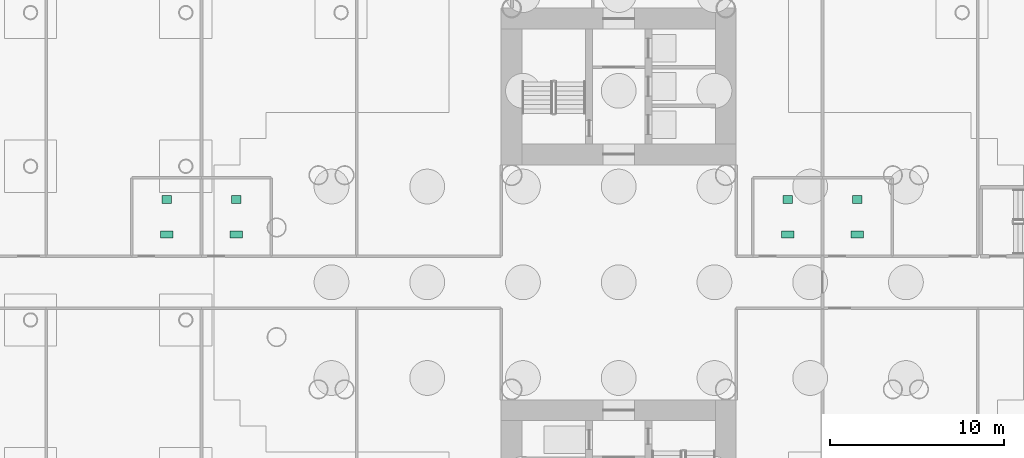
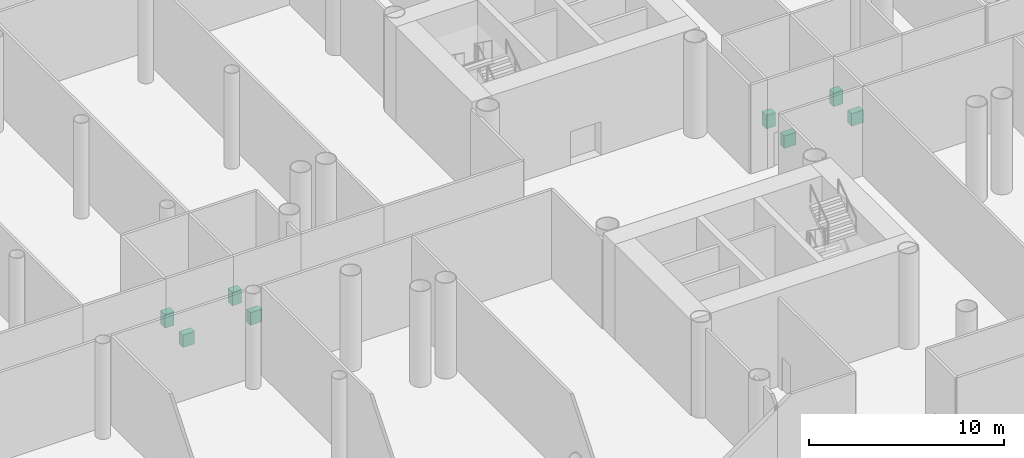
# One storey, part 74 of 75: 8 sanitary terminals.
"""IFC4 building model written with IfcOpenShell, lengths in metres."""

from ifc_helpers import new_model, si_unit, direction, frame, origin, origin_2d, place, context, subcontext, project, spatial, rectangle, extrude, material, type_object, element, save


model = new_model("IFC4")

# Units and contexts
model_context = context("Model", 3, precision=1e-05, world=origin(), true_north=direction((0.0, 1.0)))
body_context = subcontext(model_context, "Body", "Model", "MODEL_VIEW")
ifc_project = project(units=[si_unit("LENGTHUNIT", "METRE"), si_unit("AREAUNIT", "SQUARE_METRE"), si_unit("VOLUMEUNIT", "CUBIC_METRE"), si_unit("PLANEANGLEUNIT", "RADIAN"), si_unit("MASSUNIT", "GRAM", prefix="KILO")], contexts=[model_context])

# Site, building, storey
site_placement = place(None, origin())
site = spatial("IfcSite", under=ifc_project, at=site_placement, CompositionType="ELEMENT")
building_placement = place(site_placement, origin())
building = spatial("IfcBuilding", under=site, at=building_placement, Name="Ipe Terrace Towers", CompositionType="ELEMENT")
storey_placement = place(building_placement, origin())
storey = spatial("IfcBuildingStorey", under=building, at=storey_placement, Name="L00", CompositionType="ELEMENT", Elevation=0.0)

# Sanitary terminals
ifc_material_1 = material(Name="Vitreous china", Category="ceramic")
sanitary_terminal_type_1 = type_object("IfcSanitaryTerminalType", Name="Wash basin", PredefinedType="WASHHANDBASIN", material=ifc_material_1)
for number, where, z_axis, x_axis, name in (
    (1, (10.030029296875, 4.75, 0.0), (0.0, 0.0, 1.0), (1.0, 0.0, 0.0), "Wash basin"),
    (2, (14.030029296875, 4.75, 0.0), (0.0, 0.0, 1.0), (1.0, 0.0, 0.0), "Wash basin"),
    (3, (45.7099609375, 4.75, 0.0), (0.0, 0.0, 1.0), (1.0, 0.0, 0.0), "Wash basin"),
    (4, (49.7099609375, 4.75, 0.0), (0.0, 0.0, 1.0), (1.0, 0.0, 0.0), "Wash basin"),
):
    element("IfcSanitaryTerminal", number, at=place(storey_placement, frame(where, z_axis=z_axis, x_axis=x_axis)), inside=storey, type_object=sanitary_terminal_type_1, Name=name, PredefinedType="WASHHANDBASIN", context=body_context, shape_type="SweptSolid", body=[
        extrude(rectangle(XDim=0.550048828125, YDim=0.449951171875, at=origin_2d()), origin(), (0.0, 0.0, 1.0), 0.85009765625),
    ])
ifc_material_2 = material(Name="Vitreous china", Category="ceramic")
sanitary_terminal_type_2 = type_object("IfcSanitaryTerminalType", Name="Water closet", PredefinedType="TOILETPAN", material=ifc_material_2)
for number, where, z_axis, x_axis, name in (
    (5, (10.030029296875, 2.75, 0.0), (0.0, 0.0, 1.0), (1.0, 0.0, 0.0), "Water closet"),
    (6, (14.030029296875, 2.75, 0.0), (0.0, 0.0, 1.0), (1.0, 0.0, 0.0), "Water closet"),
    (7, (45.7099609375, 2.75, 0.0), (0.0, 0.0, 1.0), (1.0, 0.0, 0.0), "Water closet"),
    (8, (49.7099609375, 2.75, 0.0), (0.0, 0.0, 1.0), (1.0, 0.0, 0.0), "Water closet"),
):
    element("IfcSanitaryTerminal", number, at=place(storey_placement, frame(where, z_axis=z_axis, x_axis=x_axis)), inside=storey, type_object=sanitary_terminal_type_2, Name=name, PredefinedType="TOILETPAN", context=body_context, shape_type="SweptSolid", body=[
        extrude(rectangle(XDim=0.699951171875, YDim=0.39990234375, at=origin_2d()), origin(), (0.0, 0.0, 1.0), 0.780029296875),
    ])

save(model, "model.ifc")
